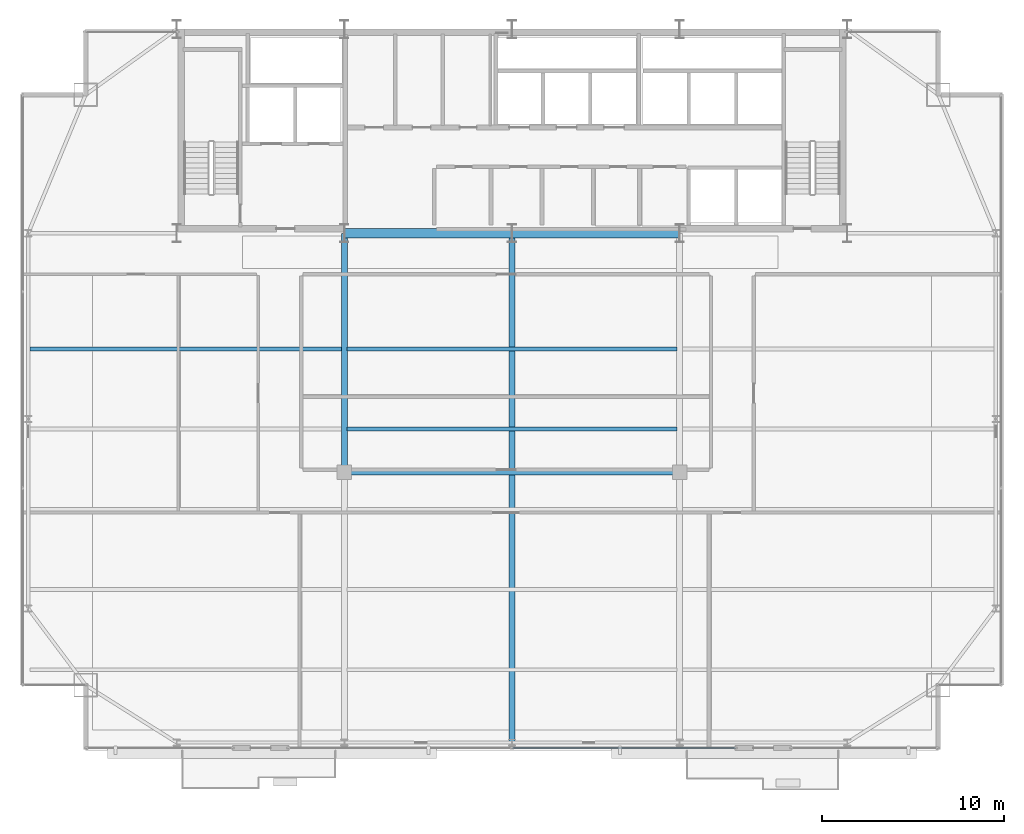
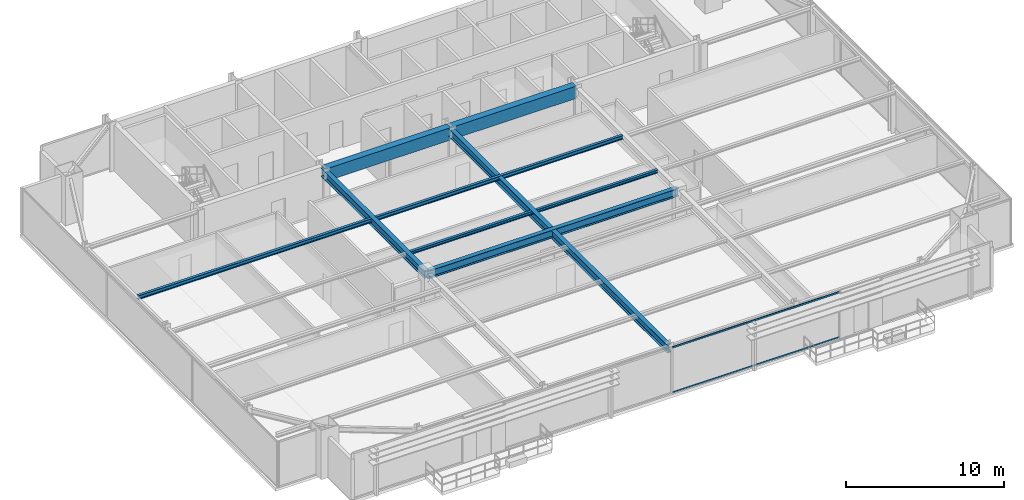
# One storey, part 13 of 31: 8 beams, 2 members, 1 element without a shape of its own.
"""IFC4 building model written with IfcOpenShell, lengths in metres."""

from ifc_helpers import new_model, si_unit, direction, frame, origin, origin_2d, place, context, subcontext, project, spatial, rectangle, hollow_rectangle, i_section, extrude, source, transform, mapped, material, layer, layer_set, material_profile, profile_set, type_object, type_shapes, element, aggregate, save


model = new_model("IFC4")

# Units and contexts
model_context = context("Model", 3, precision=1e-05, world=origin(), true_north=direction((0.0, 1.0)))
body_context = subcontext(model_context, "Body", "Model", "MODEL_VIEW")
ifc_project = project(units=[si_unit("LENGTHUNIT", "METRE"), si_unit("AREAUNIT", "SQUARE_METRE"), si_unit("VOLUMEUNIT", "CUBIC_METRE"), si_unit("PLANEANGLEUNIT", "RADIAN"), si_unit("MASSUNIT", "GRAM", prefix="KILO")], contexts=[model_context])

# Site, building, storey
site_placement = place(None, origin())
site = spatial("IfcSite", under=ifc_project, at=site_placement, CompositionType="ELEMENT")
building_placement = place(site_placement, origin())
building = spatial("IfcBuilding", under=site, at=building_placement, Name="Varnel Quay Broadcast Tower", CompositionType="ELEMENT")
storey_placement = place(building_placement, frame((0.0, 0.0, 153.39990234375)))
storey = spatial("IfcBuildingStorey", under=building, at=storey_placement, Name="L37", CompositionType="ELEMENT", Elevation=153.39990234375)

# Beams
ifc_material_1 = material(Name="Structural Steel CSA G40.21 350W", Category="steel")
ifc_material_profile_1 = material_profile(ifc_material_1, i_section(OverallWidth=0.324951171875, OverallDepth=0.615966796875, WebThickness=0.013916015625, FlangeThickness=0.021484375, FilletRadius=0.01611328125, at=origin_2d()), Name="W610X174")
ifc_profile_set_1 = profile_set([ifc_material_profile_1], Name="Structural Steel CSA G40.21 350W")
beam_type_1 = type_object("IfcBeamType", Name="Girder_W610X174", PredefinedType="BEAM", material=ifc_profile_set_1)
shared_shape_1 = source(origin(), body_context, "Body", "SweptSolid", [
    extrude(i_section(OverallWidth=0.324951171875, OverallDepth=0.615966796875, WebThickness=0.013916015625, FlangeThickness=0.021484375, FilletRadius=0.01611328125, at=origin_2d()), origin(), (0.0, 0.0, 1.0), 13.070068359375),
])
beam_1_placement = place(storey_placement, frame((24.800048828125, 22.510009765625, 3.2421875), z_axis=(0.0, 1.0, 0.0), x_axis=(-1.0, 0.0, 0.0)))
element("IfcBeam", 1, at=beam_1_placement, inside=storey, type_object=beam_type_1, Name="L37 Primary Girder IC-01-CC-S2", PredefinedType="BEAM", context=body_context, shape_type="MappedRepresentation", body=[
    mapped(shared_shape_1, transform((0.0, 0.0, 0.0), x_axis=(1.0, 0.0, 0.0), y_axis=(0.0, 1.0, 0.0), z_axis=(0.0, 0.0, 1.0), scale=1.0)),
])
shared_shape_2 = source(origin(), body_context, "Body", "SweptSolid", [
    extrude(i_section(OverallWidth=0.324951171875, OverallDepth=0.615966796875, WebThickness=0.013916015625, FlangeThickness=0.021484375, FilletRadius=0.01611328125, at=origin_2d()), origin(), (0.0, 0.0, 1.0), 18.35986328125),
])
beam_2_placement = place(storey_placement, frame((24.820068359375, 22.489990234375, 3.2421875), z_axis=(1.0, 0.0, 0.0), x_axis=(0.0, 1.0, 0.0)))
element("IfcBeam", 2, at=beam_2_placement, inside=storey, type_object=beam_type_1, Name="L37 Interior Spine Girder", PredefinedType="BEAM", context=body_context, shape_type="MappedRepresentation", body=[
    mapped(shared_shape_2, transform((0.0, 0.0, 0.0), x_axis=(1.0, 0.0, 0.0), y_axis=(0.0, 1.0, 0.0), z_axis=(0.0, 0.0, 1.0), scale=1.0)),
])
shared_shape_3 = source(origin(), body_context, "Body", "SweptSolid", [
    extrude(i_section(OverallWidth=0.324951171875, OverallDepth=0.615966796875, WebThickness=0.013916015625, FlangeThickness=0.021484375, FilletRadius=0.01611328125, at=origin_2d()), origin(), (0.0, 0.0, 1.0), 27.91015625),
])
type_shapes(beam_type_1, [shared_shape_1, shared_shape_2, shared_shape_3])
beam_3_placement = place(storey_placement, frame((34.0, 7.669921875, 3.2421875), z_axis=(0.0, 1.0, 0.0), x_axis=(-1.0, 0.0, 0.0)))
element("IfcBeam", 3, at=beam_3_placement, inside=storey, type_object=beam_type_1, Name="L37 Central Bay Girder", PredefinedType="BEAM", context=body_context, shape_type="MappedRepresentation", body=[
    mapped(shared_shape_3, transform((0.0, 0.0, 0.0), x_axis=(1.0, 0.0, 0.0), y_axis=(0.0, 1.0, 0.0), z_axis=(0.0, 0.0, 1.0), scale=1.0)),
])
ifc_material_2 = material(Name="Concrete CSA A23.3 C50/60", Category="concrete")
ifc_material_profile_2 = material_profile(ifc_material_2, rectangle(XDim=0.5, YDim=0.949951171875, at=origin_2d()), Name="RC500X950")
ifc_profile_set_2 = profile_set([ifc_material_profile_2], Name="Concrete CSA A23.3 C50/60")
beam_type_2 = type_object("IfcBeamType", Name="Beam_RC500X950", PredefinedType="BEAM", material=ifc_profile_set_2)
shared_shape_4 = source(origin(), body_context, "Body", "SweptSolid", [
    extrude(rectangle(XDim=0.5, YDim=0.949951171875, at=origin_2d()), origin(), (0.0, 0.0, 1.0), 9.159912109375),
])
type_shapes(beam_type_2, [shared_shape_4])
for number, where, z_axis, x_axis, name in (
    (4, (24.820068359375, 35.60009765625, 3.0751953125), (1.0, 0.0, 0.0), (0.0, 1.0, 0.0), "L37 Core Coupling Beam W"),
    (5, (34.02001953125, 35.60009765625, 3.0751953125), (1.0, 0.0, 0.0), (0.0, 1.0, 0.0), "L37 Core Coupling Beam E"),
):
    element("IfcBeam", number, at=place(storey_placement, frame(where, z_axis=z_axis, x_axis=x_axis)), inside=storey, type_object=beam_type_2, Name=name, PredefinedType="BEAM", context=body_context, shape_type="MappedRepresentation", body=[
        mapped(shared_shape_4, transform((0.0, 0.0, 0.0), x_axis=(1.0, 0.0, 0.0), y_axis=(0.0, 1.0, 0.0), z_axis=(0.0, 0.0, 1.0), scale=1.0)),
    ])
ifc_material_profile_3 = material_profile(ifc_material_1, i_section(OverallWidth=0.202880859375, OverallDepth=0.302978515625, WebThickness=0.007568359375, FlangeThickness=0.01318359375, FilletRadius=0.011962890625, at=origin_2d()), Name="W310X60")
ifc_profile_set_3 = profile_set([ifc_material_profile_3], Name="Structural Steel CSA G40.21 350W")
beam_type_3 = type_object("IfcBeamType", Name="Beam_W310X60", PredefinedType="JOIST", material=ifc_profile_set_3)
shared_shape_5 = source(origin(), body_context, "Body", "SweptSolid", [
    extrude(i_section(OverallWidth=0.202880859375, OverallDepth=0.302978515625, WebThickness=0.007568359375, FlangeThickness=0.01318359375, FilletRadius=0.011962890625, at=origin_2d()), origin(), (0.0, 0.0, 1.0), 17.107177734375),
])
beam_4_placement = place(storey_placement, frame((7.535400390625, 29.25, 3.398681640625), z_axis=(1.0, 0.0, 0.0), x_axis=(0.0, 1.0, 0.0)))
element("IfcBeam", 6, at=beam_4_placement, inside=storey, type_object=beam_type_3, Name="L37 West Floor Joist 5", PredefinedType="JOIST", context=body_context, shape_type="MappedRepresentation", body=[
    mapped(shared_shape_5, transform((0.0, 0.0, 0.0), x_axis=(1.0, 0.0, 0.0), y_axis=(0.0, 1.0, 0.0), z_axis=(0.0, 0.0, 1.0), scale=1.0)),
])
shared_shape_6 = source(origin(), body_context, "Body", "SweptSolid", [
    extrude(i_section(OverallWidth=0.202880859375, OverallDepth=0.302978515625, WebThickness=0.007568359375, FlangeThickness=0.01318359375, FilletRadius=0.011962890625, at=origin_2d()), origin(), (0.0, 0.0, 1.0), 18.0849609375),
])
type_shapes(beam_type_3, [shared_shape_5, shared_shape_6])
beam_5_placement = place(storey_placement, frame((24.95751953125, 29.25, 3.398681640625), z_axis=(1.0, 0.0, 0.0), x_axis=(0.0, 1.0, 0.0)))
element("IfcBeam", 7, at=beam_5_placement, inside=storey, type_object=beam_type_3, Name="L37 Central Floor Joist 5", PredefinedType="JOIST", context=body_context, shape_type="MappedRepresentation", body=[
    mapped(shared_shape_6, transform((0.0, 0.0, 0.0), x_axis=(1.0, 0.0, 0.0), y_axis=(0.0, 1.0, 0.0), z_axis=(0.0, 0.0, 1.0), scale=1.0)),
])
ifc_material_profile_4 = material_profile(ifc_material_1, i_section(OverallWidth=0.201904296875, OverallDepth=0.2470703125, WebThickness=0.00732421875, FlangeThickness=0.010986328125, FilletRadius=0.010986328125, at=origin_2d()), Name="W250X49")
ifc_profile_set_4 = profile_set([ifc_material_profile_4], Name="Structural Steel CSA G40.21 350W")
beam_type_4 = type_object("IfcBeamType", Name="Beam_W250X49", PredefinedType="JOIST", material=ifc_profile_set_4)
shared_shape_7 = source(origin(), body_context, "Body", "SweptSolid", [
    extrude(i_section(OverallWidth=0.201904296875, OverallDepth=0.2470703125, WebThickness=0.00732421875, FlangeThickness=0.010986328125, FilletRadius=0.010986328125, at=origin_2d()), origin(), (0.0, 0.0, 1.0), 18.0849609375),
])
type_shapes(beam_type_4, [shared_shape_7])
beam_6_placement = place(storey_placement, frame((24.95751953125, 24.85009765625, 3.426513671875), z_axis=(1.0, 0.0, 0.0), x_axis=(0.0, 1.0, 0.0)))
element("IfcBeam", 8, at=beam_6_placement, inside=storey, type_object=beam_type_4, Name="L37 Central Floor Joist 4", PredefinedType="JOIST", context=body_context, shape_type="MappedRepresentation", body=[
    mapped(shared_shape_7, transform((0.0, 0.0, 0.0), x_axis=(1.0, 0.0, 0.0), y_axis=(0.0, 1.0, 0.0), z_axis=(0.0, 0.0, 1.0), scale=1.0)),
])

# Curtain wall, members
ifc_material_3 = material(Name="Anodised Bronze Aluminium 6063-T6", Category="aluminium")
ifc_layer = layer(ifc_material_3, 0.18994140625, Name="Anodised Bronze Aluminium 6063-T6")
ifc_layer_set = layer_set([ifc_layer], Name="Anodised Bronze Aluminium 6063-T6")
curtain_wall_type = type_object("IfcCurtainWallType", Name="CW_UpperTower", PredefinedType="NOTDEFINED", material=ifc_layer_set)
curtain_wall_placement = place(storey_placement, origin())
curtain_wall = element("IfcCurtainWall", 9, at=curtain_wall_placement, inside=storey, type_object=curtain_wall_type, Name="L37 South Unitised Curtain Wall 2", PredefinedType="NOTDEFINED")
ifc_material_profile_5 = material_profile(ifc_material_3, hollow_rectangle(XDim=0.06005859375, YDim=0.125, WallThickness=0.0029296875, at=origin_2d()), Name="ALU60X125X3")
ifc_profile_set_5 = profile_set([ifc_material_profile_5], Name="Anodised Bronze Aluminium 6063-T6")
member_type = type_object("IfcMemberType", Name="Tran_CWS-03", PredefinedType="USERDEFINED", material=ifc_profile_set_5)
shared_shape_8 = source(origin(), body_context, "Body", "SweptSolid", [
    extrude(hollow_rectangle(XDim=0.06005859375, YDim=0.125, WallThickness=0.0029296875, at=origin_2d()), origin(), (0.0, 0.0, 1.0), 12.222412109375),
])
type_shapes(member_type, [shared_shape_8])
member_1_placement = place(storey_placement, frame((34.032470703125, 7.35009765625, 0.030029296875), z_axis=(1.0, 0.0, 0.0), x_axis=(0.0, 1.0, 0.0)))
member_1 = element("IfcMember", 10, at=member_1_placement, type_object=member_type, Name="CWS-03 transom 2.1", ObjectType="TRANSOM", PredefinedType="USERDEFINED", context=body_context, shape_type="MappedRepresentation", body=[
    mapped(shared_shape_8, transform((0.0, 0.0, 0.0), x_axis=(1.0, 0.0, 0.0), y_axis=(0.0, 1.0, 0.0), z_axis=(0.0, 0.0, 1.0), scale=1.0)),
])
member_2_placement = place(storey_placement, frame((34.032470703125, 7.35009765625, 3.52001953125), z_axis=(1.0, 0.0, 0.0), x_axis=(0.0, 1.0, 0.0)))
member_2 = element("IfcMember", 11, at=member_2_placement, type_object=member_type, Name="CWS-03 transom 2.2", ObjectType="TRANSOM", PredefinedType="USERDEFINED", context=body_context, shape_type="MappedRepresentation", body=[
    mapped(shared_shape_8, transform((0.0, 0.0, 0.0), x_axis=(1.0, 0.0, 0.0), y_axis=(0.0, 1.0, 0.0), z_axis=(0.0, 0.0, 1.0), scale=1.0)),
])
aggregate(curtain_wall, [member_1, member_2])

save(model, "model.ifc")
